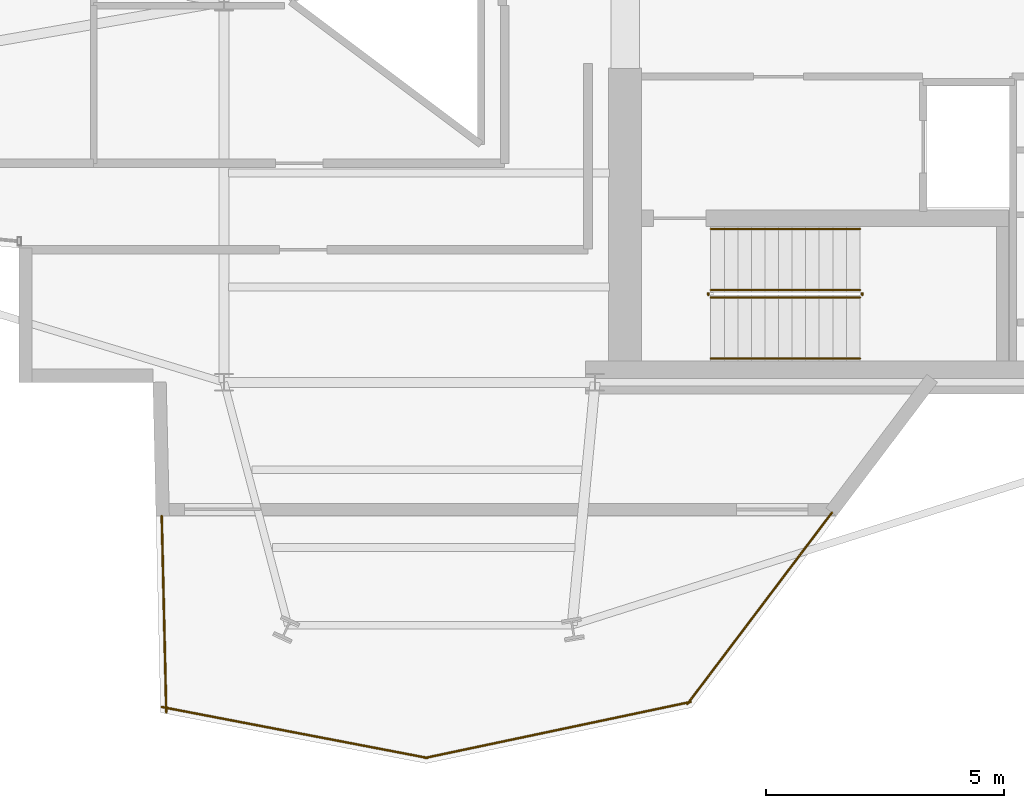
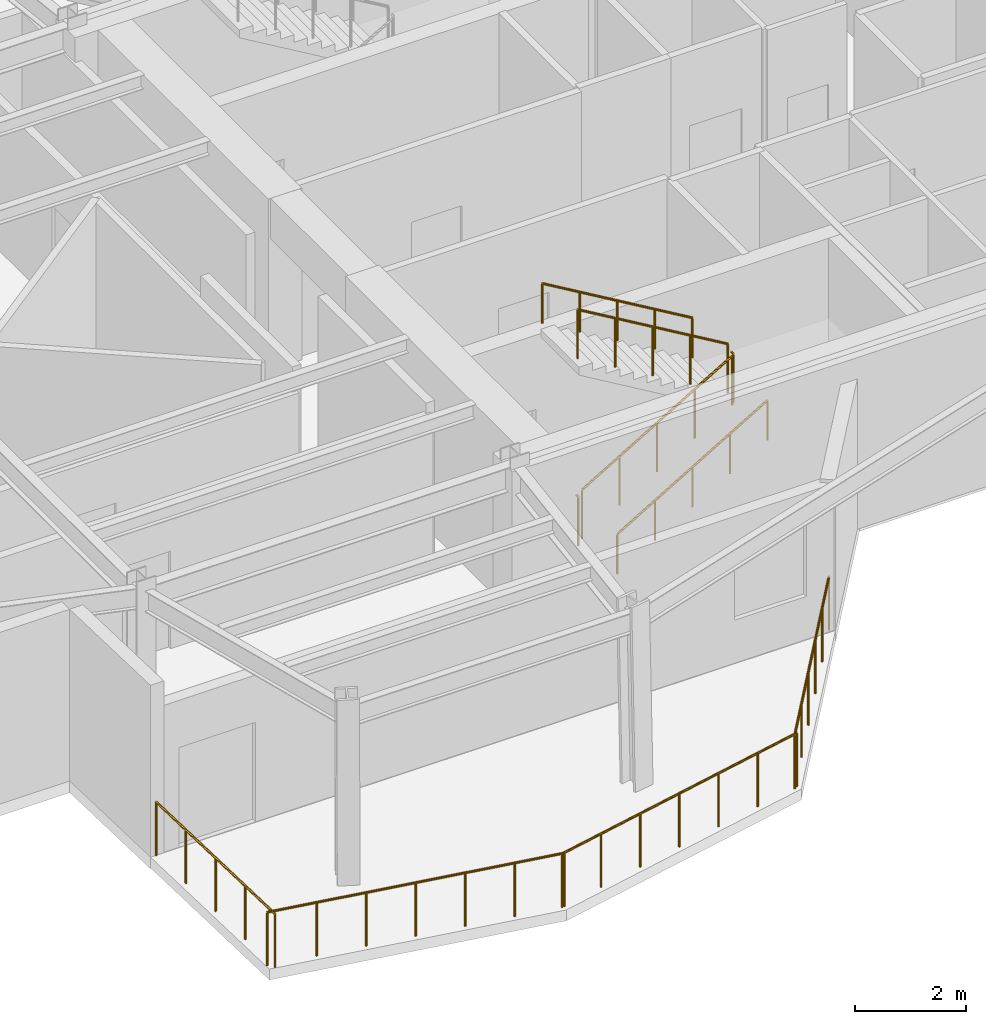
# One storey, part 20 of 21: 10 railings.
"""IFC4 building model written with IfcOpenShell, lengths in metres."""

from ifc_helpers import new_model, si_unit, direction, frame, origin, origin_2d, place, context, subcontext, project, spatial, circle, extrude, material, type_object, element, save


model = new_model("IFC4")

# Units and contexts
model_context = context("Model", 3, precision=1e-05, world=origin(), true_north=direction((0.0, 1.0)))
body_context = subcontext(model_context, "Body", "Model", "MODEL_VIEW")
ifc_project = project(units=[si_unit("LENGTHUNIT", "METRE"), si_unit("AREAUNIT", "SQUARE_METRE"), si_unit("VOLUMEUNIT", "CUBIC_METRE"), si_unit("PLANEANGLEUNIT", "RADIAN"), si_unit("MASSUNIT", "GRAM", prefix="KILO")], contexts=[model_context])

# Site, building, storey
site_placement = place(None, origin())
site = spatial("IfcSite", under=ifc_project, at=site_placement, CompositionType="ELEMENT")
building_placement = place(site_placement, origin())
building = spatial("IfcBuilding", under=site, at=building_placement, Name="Veymaron Broadcast Tower", CompositionType="ELEMENT")
storey_placement = place(building_placement, frame((0.0, 0.0, 240.449951171875)))
storey = spatial("IfcBuildingStorey", under=building, at=storey_placement, Name="L56", CompositionType="ELEMENT", Elevation=240.449951171875)

# Railings
ifc_material_1 = material(Name="Brushed stainless steel AISI 304", Category="steel")
railing_type_1 = type_object("IfcRailingType", Name="RAIL-STAIR-HR", PredefinedType="HANDRAIL", material=ifc_material_1)
railing_1_placement = place(storey_placement, frame((41.429931640625, 16.5, 0.168701171875)))
element("IfcRailing", 1, at=railing_1_placement, inside=storey, type_object=railing_type_1, Name="L56 ST2 stair handrail 1", PredefinedType="HANDRAIL", context=body_context, shape_type="SweptSolid", body=[
    extrude(circle(Radius=0.02392578125, at=origin_2d()), frame((0.0, 0.0, 0.8759765625), z_axis=(0.860452582533, 0.0, 0.509530522356), x_axis=(0.0, 1.0, 0.0)), (0.0, 0.0, 1.0), 3.6435546875),
    extrude(circle(Radius=0.02099609375, at=origin_2d()), origin(), (0.0, 0.0, 1.0), 0.851806640625),
    extrude(circle(Radius=0.02099609375, at=origin_2d()), frame((0.78369140625, 0.0, 0.464111328125)), (0.0, 0.0, 1.0), 0.851806640625),
    extrude(circle(Radius=0.02099609375, at=origin_2d()), frame((1.5673828125, 0.0, 0.92822265625)), (0.0, 0.0, 1.0), 0.851806640625),
    extrude(circle(Radius=0.02099609375, at=origin_2d()), frame((2.351318359375, 0.0, 1.392333984375)), (0.0, 0.0, 1.0), 0.851806640625),
    extrude(circle(Radius=0.02099609375, at=origin_2d()), frame((3.135009765625, 0.0, 1.8564453125)), (0.0, 0.0, 1.0), 0.851806640625),
])
railing_2_placement = place(storey_placement, frame((44.56494140625, 19.219970703125, 2.19384765625)))
element("IfcRailing", 2, at=railing_2_placement, inside=storey, type_object=railing_type_1, Name="L56 ST2 stair handrail 2", PredefinedType="HANDRAIL", context=body_context, shape_type="SweptSolid", body=[
    extrude(circle(Radius=0.02392578125, at=origin_2d()), frame((0.0, 0.0, 0.8759765625), z_axis=(-0.860481960309, 0.0, 0.509480908359), x_axis=(0.0, -1.0, 0.0)), (0.0, 0.0, 1.0), 3.643310546875),
    extrude(circle(Radius=0.02099609375, at=origin_2d()), origin(), (0.0, 0.0, 1.0), 0.851806640625),
    extrude(circle(Radius=0.02099609375, at=origin_2d()), frame((-0.78369140625, 0.0, 0.464111328125)), (0.0, 0.0, 1.0), 0.851806640625),
    extrude(circle(Radius=0.02099609375, at=origin_2d()), frame((-1.5673828125, 0.0, 0.92822265625)), (0.0, 0.0, 1.0), 0.851806640625),
    extrude(circle(Radius=0.02099609375, at=origin_2d()), frame((-2.351318359375, 0.0, 1.39208984375)), (0.0, 0.0, 1.0), 0.851806640625),
    extrude(circle(Radius=0.02099609375, at=origin_2d()), frame((-3.135009765625, 0.0, 1.856201171875)), (0.0, 0.0, 1.0), 0.851806640625),
])
ifc_material_2 = material(Name="Laminated structural sentry-glass and stainless steel AISI 316L", Category="steel")
railing_type_2 = type_object("IfcRailingType", Name="RAIL-TERR-1200", PredefinedType="GUARDRAIL", material=ifc_material_2)
railing_3_placement = place(storey_placement, frame((40.93896484375, 9.23828125, 0.0)))
element("IfcRailing", 3, at=railing_3_placement, inside=storey, type_object=railing_type_2, Name="L56 sky-terrace perimeter guardrail 1", PredefinedType="GUARDRAIL", context=body_context, shape_type="SweptSolid", body=[
    extrude(circle(Radius=0.02392578125, at=origin_2d()), frame((0.0, 0.0, 1.17578125), z_axis=(0.602646726541, 0.79800809707, 0.0), x_axis=(-0.79800809707, 0.602646726541, 0.0)), (0.0, 0.0, 1.0), 5.041259765625),
    extrude(circle(Radius=0.02099609375, at=origin_2d()), origin(), (0.0, 0.0, 1.0), 1.15185546875),
    extrude(circle(Radius=0.02099609375, at=origin_2d()), frame((0.607666015625, 0.8046875, 0.0)), (0.0, 0.0, 1.0), 1.15185546875),
    extrude(circle(Radius=0.02099609375, at=origin_2d()), frame((1.21533203125, 1.609130859375, 0.0)), (0.0, 0.0, 1.0), 1.15185546875),
    extrude(circle(Radius=0.02099609375, at=origin_2d()), frame((1.82275390625, 2.413818359375, 0.0)), (0.0, 0.0, 1.0), 1.15185546875),
    extrude(circle(Radius=0.02099609375, at=origin_2d()), frame((2.430419921875, 3.21826171875, 0.0)), (0.0, 0.0, 1.0), 1.15185546875),
    extrude(circle(Radius=0.02099609375, at=origin_2d()), frame((3.0380859375, 4.02294921875, 0.0)), (0.0, 0.0, 1.0), 1.15185546875),
])
railing_4_placement = place(storey_placement, frame((29.8916015625, 13.19189453125, 0.0)))
element("IfcRailing", 4, at=railing_4_placement, inside=storey, type_object=railing_type_2, Name="L56 sky-terrace perimeter guardrail 3", PredefinedType="GUARDRAIL", context=body_context, shape_type="SweptSolid", body=[
    extrude(circle(Radius=0.02392578125, at=origin_2d()), frame((0.0, 0.0, 1.17578125), z_axis=(0.023165738736, -0.999731638265, 0.0), x_axis=(0.999731638265, 0.023165738736, 0.0)), (0.0, 0.0, 1.0), 4.13134765625),
    extrude(circle(Radius=0.02099609375, at=origin_2d()), origin(), (0.0, 0.0, 1.0), 1.15185546875),
    extrude(circle(Radius=0.02099609375, at=origin_2d()), frame((0.02392578125, -1.032470703125, 0.0)), (0.0, 0.0, 1.0), 1.15185546875),
    extrude(circle(Radius=0.02099609375, at=origin_2d()), frame((0.0478515625, -2.06494140625, 0.0)), (0.0, 0.0, 1.0), 1.15185546875),
    extrude(circle(Radius=0.02099609375, at=origin_2d()), frame((0.07177734375, -3.09765625, 0.0)), (0.0, 0.0, 1.0), 1.15185546875),
    extrude(circle(Radius=0.02099609375, at=origin_2d()), frame((0.095703125, -4.130126953125, 0.0)), (0.0, 0.0, 1.0), 1.15185546875),
])
railing_5_placement = place(storey_placement, frame((29.889892578125, 9.177001953125, 0.0)))
element("IfcRailing", 5, at=railing_5_placement, inside=storey, type_object=railing_type_2, Name="L56 sky-terrace perimeter guardrail 4", PredefinedType="GUARDRAIL", context=body_context, shape_type="SweptSolid", body=[
    extrude(circle(Radius=0.02392578125, at=origin_2d()), frame((0.0, 0.0, 1.17578125), z_axis=(0.982127841111, -0.18821504646, 0.0), x_axis=(0.18821504646, 0.982127841111, 0.0)), (0.0, 0.0, 1.0), 5.685302734375),
    extrude(circle(Radius=0.02099609375, at=origin_2d()), origin(), (0.0, 0.0, 1.0), 1.15185546875),
    extrude(circle(Radius=0.02099609375, at=origin_2d()), frame((0.9306640625, -0.17822265625, 0.0)), (0.0, 0.0, 1.0), 1.15185546875),
    extrude(circle(Radius=0.02099609375, at=origin_2d()), frame((1.861328125, -0.356689453125, 0.0)), (0.0, 0.0, 1.0), 1.15185546875),
    extrude(circle(Radius=0.02099609375, at=origin_2d()), frame((2.7919921875, -0.53515625, 0.0)), (0.0, 0.0, 1.0), 1.15185546875),
    extrude(circle(Radius=0.02099609375, at=origin_2d()), frame((3.722412109375, -0.71337890625, 0.0)), (0.0, 0.0, 1.0), 1.15185546875),
    extrude(circle(Radius=0.02099609375, at=origin_2d()), frame((4.653076171875, -0.8916015625, 0.0)), (0.0, 0.0, 1.0), 1.15185546875),
    extrude(circle(Radius=0.02099609375, at=origin_2d()), frame((5.583740234375, -1.070068359375, 0.0)), (0.0, 0.0, 1.0), 1.15185546875),
])
railing_6_placement = place(storey_placement, frame((35.42626953125, 8.1064453125, 0.0)))
element("IfcRailing", 6, at=railing_6_placement, inside=storey, type_object=railing_type_2, Name="L56 sky-terrace perimeter guardrail 5", PredefinedType="GUARDRAIL", context=body_context, shape_type="SweptSolid", body=[
    extrude(circle(Radius=0.02392578125, at=origin_2d()), frame((0.0, 0.0, 1.17578125), z_axis=(0.978497551098, 0.206258436179, 0.0), x_axis=(-0.206258436179, 0.978497551098, 0.0)), (0.0, 0.0, 1.0), 5.70654296875),
    extrude(circle(Radius=0.02099609375, at=origin_2d()), origin(), (0.0, 0.0, 1.0), 1.15185546875),
    extrude(circle(Radius=0.02099609375, at=origin_2d()), frame((0.9306640625, 0.1962890625, 0.0)), (0.0, 0.0, 1.0), 1.15185546875),
    extrude(circle(Radius=0.02099609375, at=origin_2d()), frame((1.861328125, 0.392333984375, 0.0)), (0.0, 0.0, 1.0), 1.15185546875),
    extrude(circle(Radius=0.02099609375, at=origin_2d()), frame((2.7919921875, 0.58837890625, 0.0)), (0.0, 0.0, 1.0), 1.15185546875),
    extrude(circle(Radius=0.02099609375, at=origin_2d()), frame((3.722412109375, 0.78466796875, 0.0)), (0.0, 0.0, 1.0), 1.15185546875),
    extrude(circle(Radius=0.02099609375, at=origin_2d()), frame((4.653076171875, 0.98095703125, 0.0)), (0.0, 0.0, 1.0), 1.15185546875),
    extrude(circle(Radius=0.02099609375, at=origin_2d()), frame((5.583740234375, 1.177001953125, 0.0)), (0.0, 0.0, 1.0), 1.15185546875),
])
ifc_material_3 = material(Name="Painted galvanized steel balustrade", Category="steel")
railing_type_3 = type_object("IfcRailingType", Name="RAIL-WELL-GRD", PredefinedType="GUARDRAIL", material=ifc_material_3)
railing_7_placement = place(storey_placement, frame((41.429931640625, 17.780029296875, 0.168701171875)))
element("IfcRailing", 7, at=railing_7_placement, inside=storey, type_object=railing_type_3, Name="L56 ST2 stair guard 1", PredefinedType="GUARDRAIL", context=body_context, shape_type="SweptSolid", body=[
    extrude(circle(Radius=0.02392578125, at=origin_2d()), frame((0.0, 0.0, 1.076171875), z_axis=(0.860452582533, 0.0, 0.509530522356), x_axis=(0.0, 1.0, 0.0)), (0.0, 0.0, 1.0), 3.6435546875),
    extrude(circle(Radius=0.02099609375, at=origin_2d()), origin(), (0.0, 0.0, 1.0), 1.052001953125),
    extrude(circle(Radius=0.02099609375, at=origin_2d()), frame((0.78369140625, 0.0, 0.464111328125)), (0.0, 0.0, 1.0), 1.052001953125),
    extrude(circle(Radius=0.02099609375, at=origin_2d()), frame((1.5673828125, 0.0, 0.92822265625)), (0.0, 0.0, 1.0), 1.052001953125),
    extrude(circle(Radius=0.02099609375, at=origin_2d()), frame((2.351318359375, 0.0, 1.392333984375)), (0.0, 0.0, 1.0), 1.052001953125),
    extrude(circle(Radius=0.02099609375, at=origin_2d()), frame((3.135009765625, 0.0, 1.8564453125)), (0.0, 0.0, 1.0), 1.052001953125),
])
railing_8_placement = place(storey_placement, frame((44.614990234375, 17.830078125, 2.025146484375)))
element("IfcRailing", 8, at=railing_8_placement, inside=storey, type_object=railing_type_3, Name="L56 ST2 stair guard 2", PredefinedType="GUARDRAIL", context=body_context, shape_type="SweptSolid", body=[
    extrude(circle(Radius=0.02392578125, at=origin_2d()), frame((0.0, 0.0, 1.076171875), z_axis=(0.0, 1.0, 0.0), x_axis=(-1.0, 0.0, 0.0)), (0.0, 0.0, 1.0), 0.059814453125),
    extrude(circle(Radius=0.02099609375, at=origin_2d()), origin(), (0.0, 0.0, 1.0), 1.052001953125),
])
railing_9_placement = place(storey_placement, frame((44.56494140625, 17.93994140625, 2.19384765625)))
element("IfcRailing", 9, at=railing_9_placement, inside=storey, type_object=railing_type_3, Name="L56 ST2 stair guard 3", PredefinedType="GUARDRAIL", context=body_context, shape_type="SweptSolid", body=[
    extrude(circle(Radius=0.02392578125, at=origin_2d()), frame((0.0, 0.0, 1.076171875), z_axis=(-0.860481960309, 0.0, 0.509480908359), x_axis=(0.0, -1.0, 0.0)), (0.0, 0.0, 1.0), 3.643310546875),
    extrude(circle(Radius=0.02099609375, at=origin_2d()), origin(), (0.0, 0.0, 1.0), 1.052001953125),
    extrude(circle(Radius=0.02099609375, at=origin_2d()), frame((-0.78369140625, 0.0, 0.464111328125)), (0.0, 0.0, 1.0), 1.052001953125),
    extrude(circle(Radius=0.02099609375, at=origin_2d()), frame((-1.5673828125, 0.0, 0.92822265625)), (0.0, 0.0, 1.0), 1.052001953125),
    extrude(circle(Radius=0.02099609375, at=origin_2d()), frame((-2.351318359375, 0.0, 1.39208984375)), (0.0, 0.0, 1.0), 1.052001953125),
    extrude(circle(Radius=0.02099609375, at=origin_2d()), frame((-3.135009765625, 0.0, 1.856201171875)), (0.0, 0.0, 1.0), 1.052001953125),
])
railing_10_placement = place(storey_placement, frame((41.3798828125, 17.830078125, 0.0)))
element("IfcRailing", 10, at=railing_10_placement, inside=storey, type_object=railing_type_3, Name="L56 ST2 stair guard 4", PredefinedType="GUARDRAIL", context=body_context, shape_type="SweptSolid", body=[
    extrude(circle(Radius=0.02392578125, at=origin_2d()), frame((0.0, 0.0, 1.076171875), z_axis=(0.0, 1.0, 0.0), x_axis=(-1.0, 0.0, 0.0)), (0.0, 0.0, 1.0), 0.059814453125),
    extrude(circle(Radius=0.02099609375, at=origin_2d()), origin(), (0.0, 0.0, 1.0), 1.052001953125),
])

save(model, "model.ifc")
